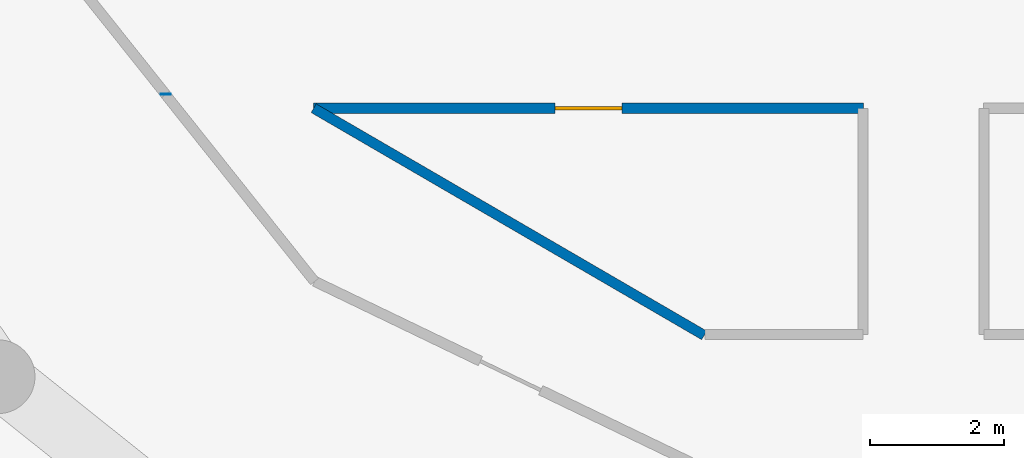
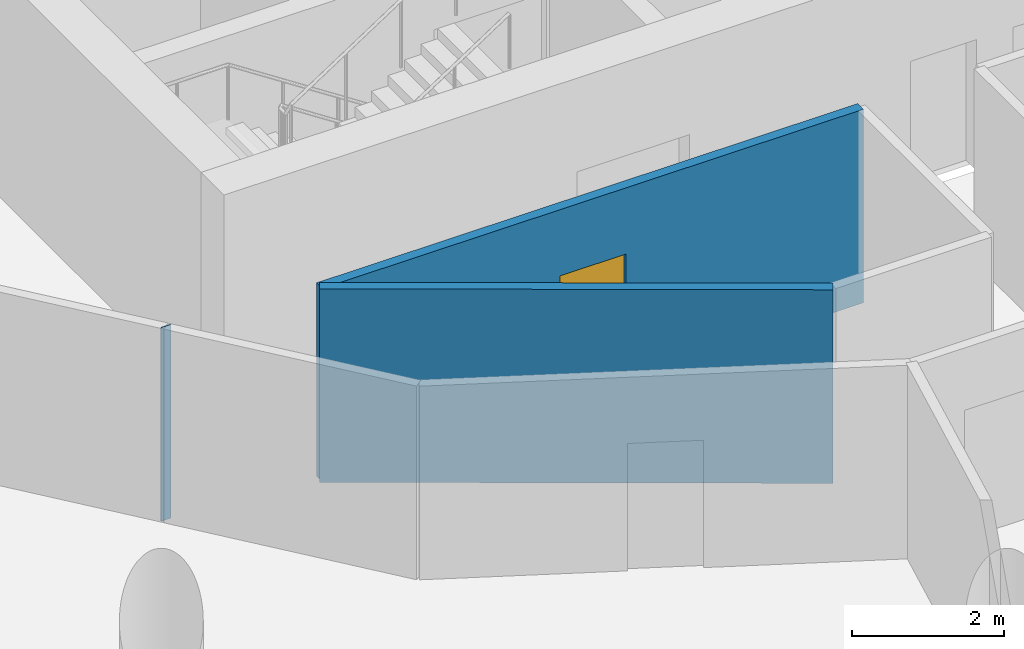
# One storey, part 3 of 13: 3 walls, 1 door, 1 opening.
"""IFC4 building model written with IfcOpenShell, lengths in metres."""

from ifc_helpers import new_model, si_unit, direction, frame, frame_2d, origin, place, context, subcontext, project, spatial, rectangle, extrude, material, layer, layer_set, type_object, element, fill, save


model = new_model("IFC4")

# Units and contexts
model_context = context("Model", 3, precision=1e-05, world=origin(), true_north=direction((0.0, 1.0)))
body_context = subcontext(model_context, "Body", "Model", "MODEL_VIEW")
ifc_project = project(units=[si_unit("LENGTHUNIT", "METRE"), si_unit("AREAUNIT", "SQUARE_METRE"), si_unit("VOLUMEUNIT", "CUBIC_METRE"), si_unit("PLANEANGLEUNIT", "RADIAN"), si_unit("MASSUNIT", "GRAM", prefix="KILO")], contexts=[model_context])

# Site, building, storey
site_placement = place(None, origin())
site = spatial("IfcSite", under=ifc_project, at=site_placement, CompositionType="ELEMENT")
building_placement = place(site_placement, origin())
building = spatial("IfcBuilding", under=site, at=building_placement, Name="Tracery Tower", CompositionType="ELEMENT")
storey_placement = place(building_placement, frame((0.0, 0.0, 274.199951171875)))
storey = spatial("IfcBuildingStorey", under=building, at=storey_placement, Name="L71", CompositionType="ELEMENT", Elevation=274.199951171875)

# Wall, opening, door
ifc_material_1 = material(Name="Plasterboard on steel studs", Category="steel")
ifc_layer = layer(ifc_material_1, 0.14990234375)
ifc_layer_set = layer_set([ifc_layer], Name="Partition 150 corridor wall")
wall_type = type_object("IfcWallType", Name="Partition 150 corridor wall", PredefinedType="PARTITIONING", material=ifc_layer_set)
wall_1_placement = place(storey_placement, frame((-9.092041015625, -8.800048828125, 0.0), z_axis=(0.0, 0.0, 1.0), x_axis=(1.0, 0.0, 0.0)))
wall_1 = element("IfcWall", 1, at=wall_1_placement, inside=storey, type_object=wall_type, Name="Corridor wall RC5-010", PredefinedType="PARTITIONING", context=body_context, shape_type="SweptSolid", body=[
    extrude(rectangle(XDim=8.196044921875, YDim=0.14990234375, at=frame_2d((4.09814453125, 0.0))), origin(), (0.0, 0.0, 1.0), 3.10009765625),
])
opening_placement = place(wall_1_placement, frame((3.597900390625, 0.0, 0.0)))
opening = element("IfcOpeningElement", 2, at=opening_placement, cuts=wall_1, Name="Opening RC5-02", PredefinedType="OPENING", context=body_context, shape_type="SweptSolid", body=[
    extrude(rectangle(XDim=1.0, YDim=2.0400390625, at=frame_2d((0.5, 1.02001953125))), frame((0.0, 0.074951171875, 0.0), z_axis=(0.0, -1.0, 0.0), x_axis=(1.0, 0.0, 0.0)), (0.0, 0.0, 1.0), 0.14990234375),
])
ifc_material_2 = material(Name="Timber door leaf", Category="wood")
door_type = type_object("IfcDoorType", Name="Door communal room 1000", OperationType="NOTDEFINED", PredefinedType="DOOR", material=ifc_material_2)
door_placement = place(opening_placement, origin())
door = element("IfcDoor", 3, at=door_placement, inside=storey, type_object=door_type, Name="Communal room door RC5-02", OperationType="SINGLE_SWING_RIGHT", OverallHeight=2.0400390625, OverallWidth=1.0, PredefinedType="DOOR", context=body_context, shape_type="SweptSolid", body=[
    extrude(rectangle(XDim=1.0, YDim=2.0400390625, at=frame_2d((0.5, 1.02001953125))), frame((0.0, 0.02490234375, 0.0), z_axis=(0.0, -1.0, 0.0), x_axis=(1.0, 0.0, 0.0)), (0.0, 0.0, 1.0), 0.050048828125),
])
fill(opening, door)

# Walls
wall_2_placement = place(storey_placement, frame((-9.092041015625, -8.800048828125, 0.0), z_axis=(0.0, 0.0, 1.0), x_axis=(0.864470922103, -0.502682827277, 0.0)))
element("IfcWall", 4, at=wall_2_placement, inside=storey, type_object=wall_type, Name="Corridor wall RC5-011", PredefinedType="PARTITIONING", context=body_context, shape_type="SweptSolid", body=[
    extrude(rectangle(XDim=6.7353515625, YDim=0.14990234375, at=frame_2d((3.36767578125, 0.0))), origin(), (0.0, 0.0, 1.0), 3.10009765625),
])
wall_3_placement = place(storey_placement, frame((-11.300048828125, -8.59619140625, 0.0), z_axis=(0.0, 0.0, 1.0), x_axis=(0.0, 1.0, 0.0)))
element("IfcWall", 5, at=wall_3_placement, inside=storey, type_object=wall_type, Name="Corridor wall RC5-016", PredefinedType="PARTITIONING", context=body_context, shape_type="SweptSolid", body=[
    extrude(rectangle(XDim=0.01025390625, YDim=0.14990234375, at=frame_2d((0.005126953125, 0.0))), origin(), (0.0, 0.0, 1.0), 3.10009765625),
])

save(model, "model.ifc")
